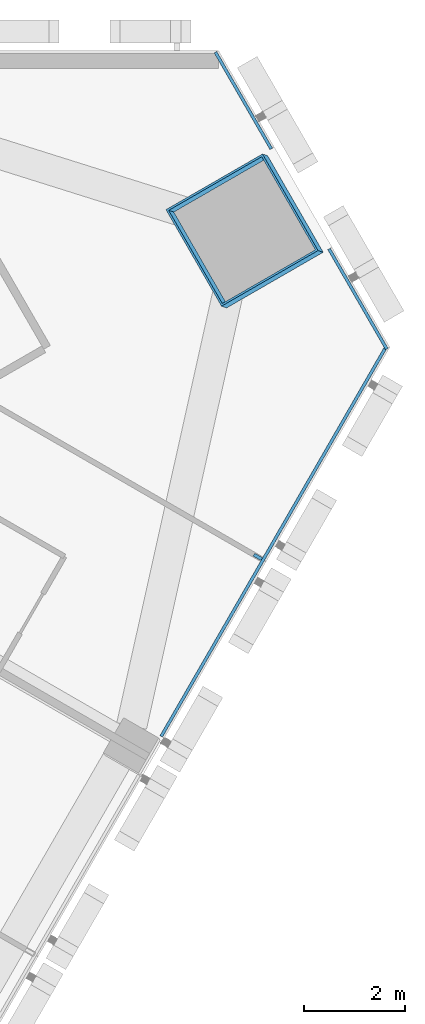
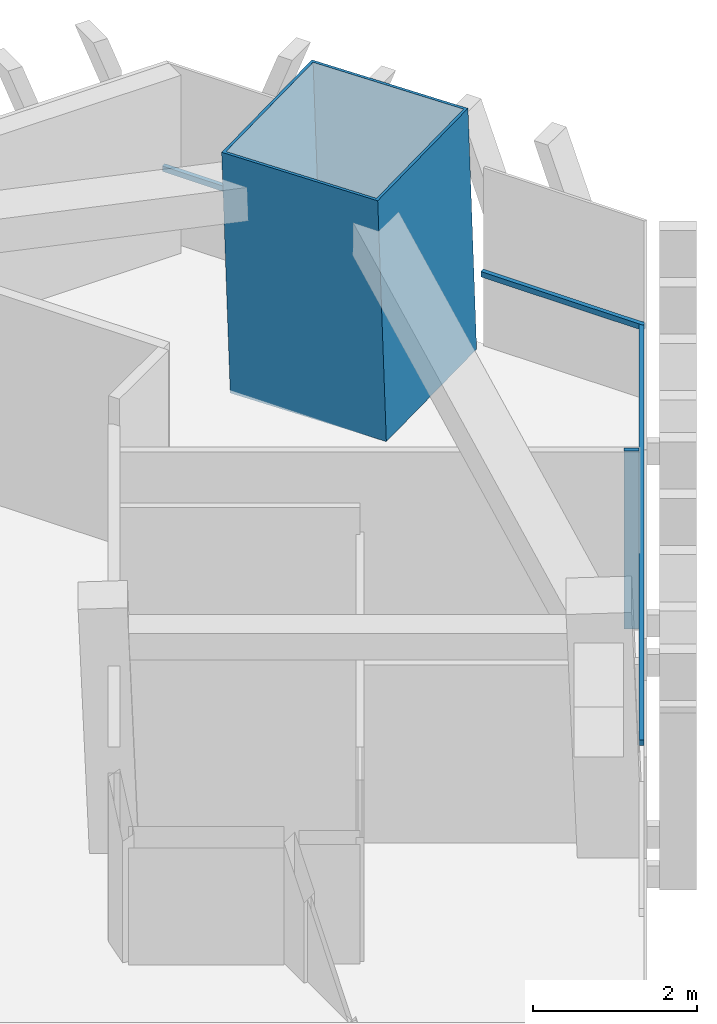
# One storey, part 7 of 16: 5 members, 2 elements without a shape of their own.
"""IFC4 building model written with IfcOpenShell, lengths in metres."""

import ifcopenshell
import ifcopenshell.guid

model = None  # the IFC model being written
_history = None  # IfcOwnerHistory: only IFC2X3 demands one
_inside = {}  # id of a spatial element -> (the spatial element, [elements in it])
_under = {}  # id of a project, library or spatial element -> (it, [spatial elements below it])
_declared = {}  # id of a project -> (the project, [libraries it declares])
_typed = {}  # id of a type object -> (the type object, [elements of that type])
_made_of = {}  # id of a material, layer set ... -> (it, [elements and type objects made of it])


def new_model(schema):
    """Start an empty IFC model of exactly this schema.

    Asked for "IFC4X3", IfcOpenShell would pick the latest addendum, in which some entities
    have other attributes; the version numbers below select the first issue.
    IFC2X3 requires an IfcOwnerHistory on every rooted entity: one is made here for all.
    """
    global model, _history
    if schema == "IFC4X3":
        model = ifcopenshell.file(schema_version=(4, 3, 0, 0))
    else:
        model = ifcopenshell.file(schema=schema)
    _inside.clear()
    _under.clear()
    _declared.clear()
    _typed.clear()
    _made_of.clear()
    _history = None
    if model.schema == "IFC2X3":
        org = make("IfcOrganization", Name="unknown")
        user = make(
            "IfcPersonAndOrganization",
            ThePerson=make("IfcPerson", FamilyName="unknown"),
            TheOrganization=org,
        )
        app = make(
            "IfcApplication",
            ApplicationDeveloper=org,
            Version="unknown",
            ApplicationFullName="unknown",
            ApplicationIdentifier="unknown",
        )
        _history = make(
            "IfcOwnerHistory",
            OwningUser=user,
            OwningApplication=app,
            ChangeAction="ADDED",
            CreationDate=0,
        )
    return model


def make(cls, **values):
    """One entity of the class cls with the attributes given. An attribute that is None is left unset."""
    return model.create_entity(
        cls, **{name: value for name, value in values.items() if value is not None}
    )


def rooted(cls, **values):
    """An entity with a GlobalId (a new one), such as an element, a storey or a relation."""
    return make(cls, GlobalId=ifcopenshell.guid.new(), OwnerHistory=_history, **values)


def si_unit(unit_type, name, prefix=None):
    """IfcSIUnit, for example si_unit("LENGTHUNIT", "METRE", prefix="MILLI")."""
    return make("IfcSIUnit", UnitType=unit_type, Prefix=prefix, Name=name)


def assignment(units):
    """IfcUnitAssignment: the units of a project."""
    return None if units is None else make("IfcUnitAssignment", Units=units)


def point(xyz):
    """IfcCartesianPoint."""
    return None if xyz is None else make("IfcCartesianPoint", Coordinates=xyz)


def direction(xyz):
    """IfcDirection."""
    return None if xyz is None else make("IfcDirection", DirectionRatios=xyz)


def frame(location, z_axis=None, x_axis=None):
    """IfcAxis2Placement3D, a coordinate frame: its origin and axes. An axis left out is left unset."""
    return make(
        "IfcAxis2Placement3D",
        Location=point(location),
        Axis=direction(z_axis),
        RefDirection=direction(x_axis),
    )


def frame_2d(location, x_axis=None):
    """IfcAxis2Placement2D, a coordinate frame in the plane: its origin and x axis."""
    return make(
        "IfcAxis2Placement2D", Location=point(location), RefDirection=direction(x_axis)
    )


def origin():
    """The frame at (0, 0, 0) with its axes left unset."""
    return frame((0.0, 0.0, 0.0))


def origin_2d():
    """The frame at (0, 0) in the plane with its x axis left unset."""
    return frame_2d((0.0, 0.0))


def place(relative_to, where):
    """IfcLocalPlacement: puts the frame where relative to a parent placement (None: the world)."""
    return make(
        "IfcLocalPlacement", PlacementRelTo=relative_to, RelativePlacement=where
    )


def context(
    kind, dimensions, precision=None, world=None, true_north=None, identifier=None
):
    """IfcGeometricRepresentationContext, for example the 3D "Model" context."""
    return make(
        "IfcGeometricRepresentationContext",
        ContextIdentifier=identifier,
        ContextType=kind,
        CoordinateSpaceDimension=dimensions,
        Precision=precision,
        WorldCoordinateSystem=world,
        TrueNorth=true_north,
    )


def subcontext(parent, identifier, kind, view, scale=None):
    """IfcGeometricRepresentationSubContext, for example "Body" below "Model"."""
    return make(
        "IfcGeometricRepresentationSubContext",
        ContextIdentifier=identifier,
        ContextType=kind,
        ParentContext=parent,
        TargetScale=scale,
        TargetView=view,
    )


def project(units=None, contexts=None):
    """IfcProject with its units and contexts."""
    return rooted(
        "IfcProject",
        Name="project",
        RepresentationContexts=contexts,
        UnitsInContext=assignment(units),
    )


def spatial(cls, under=None, at=None, **own):
    """A site, building, storey or space (cls), placed at a placement, below another one or the project."""
    s = rooted(cls, ObjectPlacement=at, **own)
    if under is not None:
        _under.setdefault(under.id(), (under, []))[1].append(s)
    return s


def profile(cls, at=None, kind="AREA", **sizes):
    """A parametric profile (cls). Its sizes go by their IFC names, for example OverallWidth=200.0."""
    return make(cls, ProfileType=kind, Position=at, **sizes)


def rectangle(**sizes):
    """IfcRectangleProfileDef."""
    return profile("IfcRectangleProfileDef", **sizes)


def hollow_rectangle(**sizes):
    """IfcRectangleHollowProfileDef."""
    return profile("IfcRectangleHollowProfileDef", **sizes)


def extrude(swept, where, along, depth):
    """IfcExtrudedAreaSolid: the profile swept, set in the frame where, extruded along a direction by depth."""
    return make(
        "IfcExtrudedAreaSolid",
        SweptArea=swept,
        Position=where,
        ExtrudedDirection=direction(along),
        Depth=depth,
    )


def shape(context_of_items, identifier, shape_type, items):
    """IfcShapeRepresentation: the items that make up one representation, for example the "Body"."""
    return make(
        "IfcShapeRepresentation",
        ContextOfItems=context_of_items,
        RepresentationIdentifier=identifier,
        RepresentationType=shape_type,
        Items=items,
    )


def material(Name=None, Category=None):
    """IfcMaterial."""
    return make("IfcMaterial", Name=Name, Category=Category)


def layer(
    of_material, thickness, ventilated=None, Name=None, Category=None, Priority=None
):
    """IfcMaterialLayer: one layer of a wall or slab, of a material (None: an air gap)."""
    return make(
        "IfcMaterialLayer",
        Material=of_material,
        LayerThickness=thickness,
        IsVentilated=ventilated,
        Name=Name,
        Category=Category,
        Priority=Priority,
    )


def layer_set(layers, Name=None):
    """IfcMaterialLayerSet."""
    return make("IfcMaterialLayerSet", MaterialLayers=layers, LayerSetName=Name)


def material_profile(
    of_material, cross_section, Name=None, Category=None, Priority=None
):
    """IfcMaterialProfile: a cross section and its material."""
    return make(
        "IfcMaterialProfile",
        Name=Name,
        Material=of_material,
        Profile=cross_section,
        Priority=Priority,
        Category=Category,
    )


def profile_set(profiles, Name=None, composite=None):
    """IfcMaterialProfileSet."""
    return make(
        "IfcMaterialProfileSet",
        Name=Name,
        MaterialProfiles=profiles,
        CompositeProfile=composite,
    )


def made_of(thing, what):
    """Note that an element or type object is made of a material, layer set ...; save() writes the relation."""
    if what is not None:
        _made_of.setdefault(what.id(), (what, []))[1].append(thing)
    return thing


def type_object(cls, material=None, **own):
    """A type object (cls), such as IfcWallType, which elements share."""
    return made_of(rooted(cls, **own), material)


def element(
    cls,
    number,
    at=None,
    inside=None,
    cuts=None,
    type_object=None,
    material=None,
    context=None,
    identifier="Body",
    shape_type=None,
    held_by="IfcProductDefinitionShape",
    body=None,
    shapes=None,
    **own,
):
    """One element of the class cls, such as IfcWall. Its Tag is "e" and its number.

    at: its placement. inside: the storey or other place that contains it. cuts: it is an
    opening in that element (IfcRelVoidsElement). A single representation is given by context,
    identifier, shape_type and body (its items); several are given by shapes. held_by: the class
    of the entity that holds the representations. save() writes the other relations.
    """
    e = rooted(cls, Tag="e%d" % number, ObjectPlacement=at, **own)
    if body is not None:
        shapes = [shape(context, identifier, shape_type, body)]
    if shapes is not None:
        e.Representation = make(held_by, Representations=shapes)
    if inside is not None:
        _inside.setdefault(inside.id(), (inside, []))[1].append(e)
    if cuts is not None:
        rooted(
            "IfcRelVoidsElement", RelatingBuildingElement=cuts, RelatedOpeningElement=e
        )
    if type_object is not None:
        _typed.setdefault(type_object.id(), (type_object, []))[1].append(e)
    return made_of(e, material)


def aggregate(whole, parts):
    """IfcRelAggregates: a whole, such as a stair, and the parts it consists of."""
    return rooted("IfcRelAggregates", RelatingObject=whole, RelatedObjects=parts)


def save(model, path):
    """Write the relations noted so far, then the file.

    IfcRelAggregates (storeys below a building ...), IfcRelContainedInSpatialStructure (elements
    in a storey), IfcRelDefinesByType, IfcRelAssociatesMaterial and IfcRelDeclares: one each for
    every whole, place, type object, material and project.
    """
    for whole, parts in _under.values():
        aggregate(whole, parts)
    for where, things in _inside.values():
        rooted(
            "IfcRelContainedInSpatialStructure",
            RelatedElements=things,
            RelatingStructure=where,
        )
    for kind, things in _typed.values():
        rooted("IfcRelDefinesByType", RelatedObjects=things, RelatingType=kind)
    for what, things in _made_of.values():
        rooted("IfcRelAssociatesMaterial", RelatedObjects=things, RelatingMaterial=what)
    for by, libraries in _declared.values():
        rooted("IfcRelDeclares", RelatingContext=by, RelatedDefinitions=libraries)
    model.write(path)


model = new_model("IFC4")

# Units and contexts
model_context = context("Model", 3, precision=1e-05, world=origin(), true_north=direction((0.0, 1.0)))
body_context = subcontext(model_context, "Body", "Model", "MODEL_VIEW")
ifc_project = project(units=[si_unit("LENGTHUNIT", "METRE"), si_unit("AREAUNIT", "SQUARE_METRE"), si_unit("VOLUMEUNIT", "CUBIC_METRE"), si_unit("PLANEANGLEUNIT", "RADIAN"), si_unit("MASSUNIT", "GRAM", prefix="KILO")], contexts=[model_context])

# Site, building, storey
site_placement = place(None, origin())
site = spatial("IfcSite", under=ifc_project, at=site_placement, CompositionType="ELEMENT")
building_placement = place(site_placement, origin())
building = spatial("IfcBuilding", under=site, at=building_placement, Name="Altiplano Prism Tower", CompositionType="ELEMENT")
storey_placement = place(building_placement, frame((0.0, 0.0, 178.199951171875)))
storey = spatial("IfcBuildingStorey", under=building, at=storey_placement, Name="L46", CompositionType="ELEMENT", Elevation=178.199951171875)

# Curtain wall, members
ifc_material_1 = material(Name="Aluminium and glass", Category="aluminium")
ifc_layer = layer(ifc_material_1, 0.280029296875)
ifc_layer_set = layer_set([ifc_layer], Name="Aluminium and glass")
curtain_wall_type = type_object("IfcCurtainWallType", Name="CW1 typical co-living unitised curtain wall", PredefinedType="NOTDEFINED", material=ifc_layer_set)
curtain_wall_1_placement = place(storey_placement, origin())
curtain_wall_1 = element("IfcCurtainWall", 1, at=curtain_wall_1_placement, inside=storey, type_object=curtain_wall_type, Name="CW1 curtain wall south-east face L46", PredefinedType="NOTDEFINED")
ifc_material_2 = material(Name="Aluminium", Category="aluminium")
ifc_material_profile_1 = material_profile(ifc_material_2, rectangle(XDim=0.179931640625, YDim=0.06494140625, at=origin_2d()), Name="CW1 mullion 65 x 180")
ifc_profile_set_1 = profile_set([ifc_material_profile_1], Name="Aluminium")
member_type_1 = type_object("IfcMemberType", Name="CW1 mullion 65 x 180", PredefinedType="MULLION", material=ifc_profile_set_1)
member_1_placement = place(storey_placement, frame((108.662353515625, 95.00244140625, 0.0), z_axis=(0.0, 0.0, 1.0), x_axis=(-0.866025406097, 0.499999995995, 0.0)))
member_1 = element("IfcMember", 2, at=member_1_placement, type_object=member_type_1, Name="CW1 mullion", PredefinedType="MULLION", context=body_context, shape_type="SweptSolid", body=[
    extrude(rectangle(XDim=0.179931640625, YDim=0.06494140625, at=origin_2d()), origin(), (0.0, 0.0, 1.0), 2.650146484375),
])
ifc_material_profile_2 = material_profile(ifc_material_2, rectangle(XDim=0.06005859375, YDim=0.080078125, at=origin_2d()), Name="CW1 transom 80 x 60")
ifc_profile_set_2 = profile_set([ifc_material_profile_2], Name="Aluminium")
member_type_2 = type_object("IfcMemberType", Name="CW1 transom 80 x 60", PredefinedType="USERDEFINED", material=ifc_profile_set_2)
member_2_placement = place(storey_placement, frame((106.756103515625, 91.46044921875, 1.10009765625), z_axis=(0.500000840671, 0.866024918422, 0.0), x_axis=(-0.866024918422, 0.500000840671, 0.0)))
member_2 = element("IfcMember", 3, at=member_2_placement, type_object=member_type_2, Name="CW1 transom", ObjectType="TRANSOM", PredefinedType="USERDEFINED", context=body_context, shape_type="SweptSolid", body=[
    extrude(rectangle(XDim=0.06005859375, YDim=0.080078125, at=origin_2d()), origin(), (0.0, 0.0, 1.0), 8.9072265625),
])
aggregate(curtain_wall_1, [member_1, member_2])

curtain_wall_2_placement = place(storey_placement, origin())
curtain_wall_2 = element("IfcCurtainWall", 4, at=curtain_wall_2_placement, inside=storey, type_object=curtain_wall_type, Name="CW1 curtain wall north-east chamfer L46", PredefinedType="NOTDEFINED")
member_3_placement = place(storey_placement, frame((111.209716796875, 99.1044921875, 1.10009765625), z_axis=(-0.500037110984, 0.866003976688, 0.0), x_axis=(-0.866003976688, -0.500037110984, 0.0)))
member_3 = element("IfcMember", 5, at=member_3_placement, type_object=member_type_2, Name="CW1 transom", ObjectType="TRANSOM", PredefinedType="USERDEFINED", context=body_context, shape_type="SweptSolid", body=[
    extrude(rectangle(XDim=0.06005859375, YDim=0.080078125, at=origin_2d()), origin(), (0.0, 0.0, 1.0), 2.283447265625),
])
member_4_placement = place(storey_placement, frame((108.927978515625, 103.056640625, 1.10009765625), z_axis=(-0.499987781028, 0.866032458297, 0.0), x_axis=(-0.866032458297, -0.499987781028, 0.0)))
member_4 = element("IfcMember", 6, at=member_4_placement, type_object=member_type_2, Name="CW1 transom", ObjectType="TRANSOM", PredefinedType="USERDEFINED", context=body_context, shape_type="SweptSolid", body=[
    extrude(rectangle(XDim=0.06005859375, YDim=0.080078125, at=origin_2d()), origin(), (0.0, 0.0, 1.0), 2.20361328125),
])
aggregate(curtain_wall_2, [member_3, member_4])

# Member
ifc_material_3 = material(Name="Steel S460", Category="steel")
ifc_material_profile_3 = material_profile(ifc_material_3, hollow_rectangle(XDim=2.199951171875, YDim=2.199951171875, WallThickness=0.0400390625, at=origin_2d()), Name="Mega column tube 2200")
ifc_profile_set_3 = profile_set([ifc_material_profile_3], Name="Steel S460")
member_type_3 = type_object("IfcMemberType", Name="Mega column tube 2200", PredefinedType="POST", material=ifc_profile_set_3)
member_5_placement = place(storey_placement, frame((108.45263671875, 101.419677734375, 0.0), z_axis=(-0.028401796786, 0.009286506348, 0.999553449666), x_axis=(0.498873699713, -0.866389693121, 0.022224567214)))
element("IfcMember", 7, at=member_5_placement, inside=storey, type_object=member_type_3, Name="Mega column tube M2 L46", PredefinedType="POST", context=body_context, shape_type="SweptSolid", body=[
    extrude(hollow_rectangle(XDim=2.199951171875, YDim=2.199951171875, WallThickness=0.0400390625, at=origin_2d()), origin(), (0.0, 0.0, 1.0), 3.601806640625),
])

save(model, "model.ifc")
